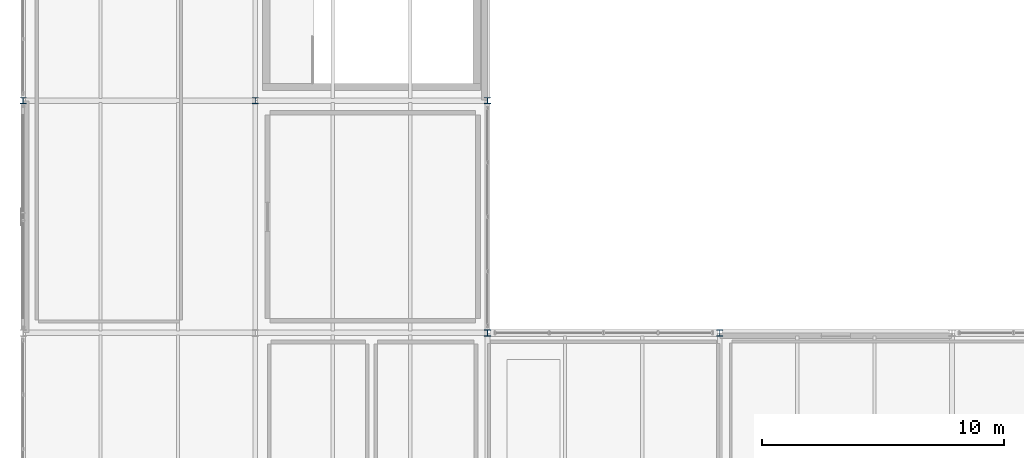
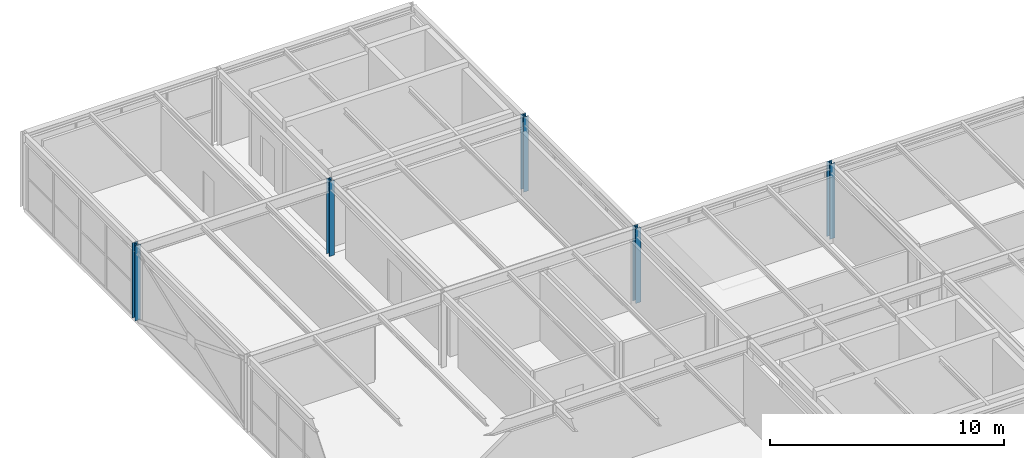
# One storey, part 2 of 33: 5 columns.
"""IFC4 building model written with IfcOpenShell, lengths in metres."""

from ifc_helpers import new_model, si_unit, direction, frame, origin, origin_2d, place, context, subcontext, project, spatial, i_section, extrude, material, material_profile, profile_set, type_object, element, save


model = new_model("IFC4")

# Units and contexts
model_context = context("Model", 3, precision=1e-05, world=origin(), true_north=direction((0.0, 1.0)))
body_context = subcontext(model_context, "Body", "Model", "MODEL_VIEW")
ifc_project = project(units=[si_unit("LENGTHUNIT", "METRE"), si_unit("AREAUNIT", "SQUARE_METRE"), si_unit("VOLUMEUNIT", "CUBIC_METRE"), si_unit("PLANEANGLEUNIT", "RADIAN"), si_unit("MASSUNIT", "GRAM", prefix="KILO")], contexts=[model_context])

# Site, building, storey
site_placement = place(None, origin())
site = spatial("IfcSite", under=ifc_project, at=site_placement, CompositionType="ELEMENT")
building_placement = place(site_placement, origin())
building = spatial("IfcBuilding", under=site, at=building_placement, Name="Coralgate Yard Interchange", CompositionType="ELEMENT")
storey_placement = place(building_placement, frame((0.0, 0.0, 23.10009765625)))
storey = spatial("IfcBuildingStorey", under=building, at=storey_placement, Name="L05", CompositionType="ELEMENT", Elevation=23.10009765625)

# Columns
ifc_material = material(Name="Structural steel S355J2", Category="steel")
ifc_material_profile = material_profile(ifc_material, i_section(OverallWidth=0.25634765625, OverallDepth=0.26025390625, WebThickness=0.01025390625, FlangeThickness=0.017333984375, FilletRadius=0.0126953125, at=origin_2d()), Name="UC 254x254x89")
ifc_profile_set = profile_set([ifc_material_profile], Name="Structural steel S355J2")
column_type = type_object("IfcColumnType", Name="COL-SC-8", PredefinedType="COLUMN", material=ifc_profile_set)
for number, where, z_axis, x_axis, name in (
    (1, (0.0, 28.800048828125, 0.0), (0.0, 0.0, 1.0), (1.0, 0.0, 0.0), "L05 structural column 0-3"),
    (2, (9.60009765625, 28.800048828125, 0.0), (0.0, 0.0, 1.0), (1.0, 0.0, 0.0), "L05 structural column 1-3"),
    (3, (19.199951171875, 19.199951171875, 0.0), (0.0, 0.0, 1.0), (1.0, 0.0, 0.0), "L05 structural column 2-2"),
    (4, (19.199951171875, 28.800048828125, 0.0), (0.0, 0.0, 1.0), (1.0, 0.0, 0.0), "L05 structural column 2-3"),
    (5, (28.800048828125, 19.199951171875, 0.0), (0.0, 0.0, 1.0), (1.0, 0.0, 0.0), "L05 structural column 3-2"),
):
    element("IfcColumn", number, at=place(storey_placement, frame(where, z_axis=z_axis, x_axis=x_axis)), inside=storey, type_object=column_type, Name=name, PredefinedType="COLUMN", context=body_context, shape_type="SweptSolid", body=[
        extrude(i_section(OverallWidth=0.25634765625, OverallDepth=0.26025390625, WebThickness=0.01025390625, FlangeThickness=0.017333984375, FilletRadius=0.0126953125, at=origin_2d()), origin(), (0.0, 0.0, 1.0), 3.919921875),
    ])

save(model, "model.ifc")
